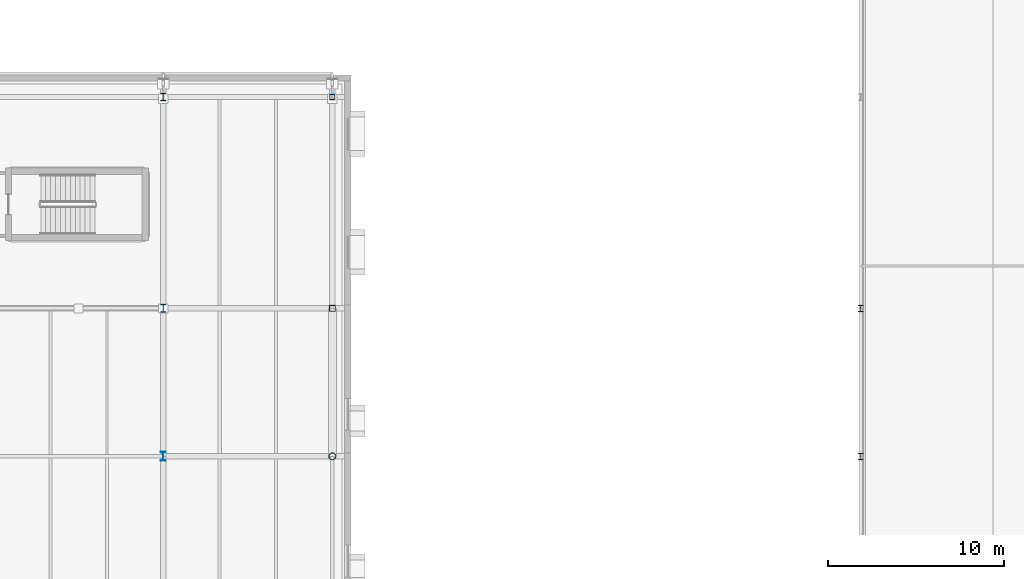
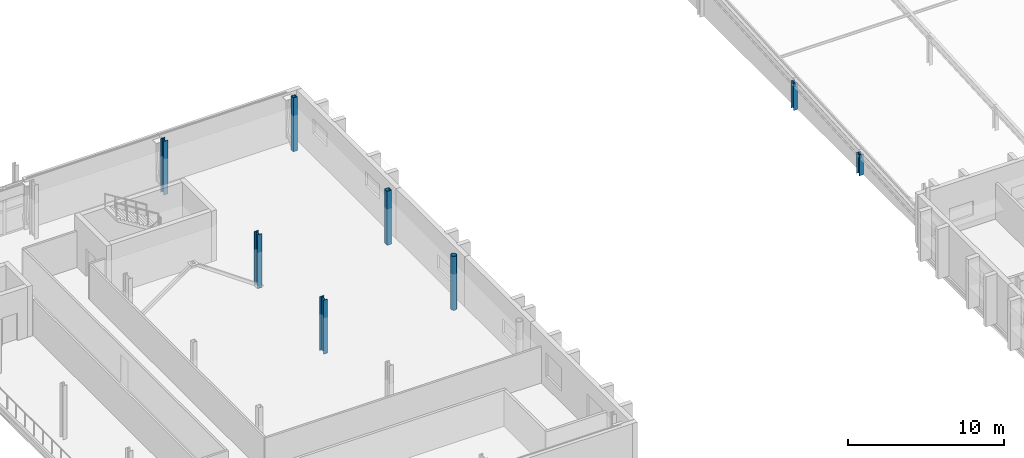
# One storey, part 9 of 57: 8 columns.
"""IFC4 building model written with IfcOpenShell, lengths in metres."""

from ifc_helpers import new_model, si_unit, direction, frame, origin, origin_2d, place, context, subcontext, project, spatial, hollow_rectangle, hollow_circle, i_section, extrude, material, material_profile, profile_set, type_object, element, save


model = new_model("IFC4")

# Units and contexts
model_context = context("Model", 3, precision=1e-05, world=origin(), true_north=direction((0.0, 1.0)))
body_context = subcontext(model_context, "Body", "Model", "MODEL_VIEW")
ifc_project = project(units=[si_unit("LENGTHUNIT", "METRE"), si_unit("AREAUNIT", "SQUARE_METRE"), si_unit("VOLUMEUNIT", "CUBIC_METRE"), si_unit("PLANEANGLEUNIT", "RADIAN"), si_unit("MASSUNIT", "GRAM", prefix="KILO")], contexts=[model_context])

# Site, building, storey
site_placement = place(None, origin())
site = spatial("IfcSite", under=ifc_project, at=site_placement, CompositionType="ELEMENT")
building_placement = place(site_placement, origin())
building = spatial("IfcBuilding", under=site, at=building_placement, Name="Zereglee Splitstone Museum", CompositionType="ELEMENT")
storey_placement = place(building_placement, frame((0.0, 0.0, 17.10009765625)))
storey = spatial("IfcBuildingStorey", under=building, at=storey_placement, Name="L03", CompositionType="ELEMENT", Elevation=17.10009765625)

# Columns
ifc_material_1 = material(Name="Steel S355J2H", Category="steel")
ifc_material_profile_1 = material_profile(ifc_material_1, hollow_circle(Radius=0.203125, WallThickness=0.02001953125, at=origin_2d()), Name="CHS 406.4x20")
ifc_profile_set_1 = profile_set([ifc_material_profile_1], Name="Steel S355J2H")
column_type_1 = type_object("IfcColumnType", Name="C-18", PredefinedType="COLUMN", material=ifc_profile_set_1)
column_1_placement = place(storey_placement, frame((145.199951171875, 30.0, 0.0), z_axis=(0.0, 0.0, 1.0), x_axis=(1.0, 0.0, 0.0)))
element("IfcColumn", 1, at=column_1_placement, inside=storey, type_object=column_type_1, Name="Column 17/D L03", PredefinedType="COLUMN", context=body_context, shape_type="SweptSolid", body=[
    extrude(hollow_circle(Radius=0.203125, WallThickness=0.02001953125, at=origin_2d()), origin(), (0.0, 0.0, 1.0), 4.199951171875),
])
ifc_material_2 = material(Name="Steel S355J2", Category="steel")
ifc_material_profile_2 = material_profile(ifc_material_2, i_section(OverallWidth=0.300048828125, OverallDepth=0.360107421875, WebThickness=0.012451171875, FlangeThickness=0.0224609375, FilletRadius=0.027099609375, at=origin_2d()), Name="HE 360 B")
ifc_profile_set_2 = profile_set([ifc_material_profile_2], Name="Steel S355J2")
column_type_2 = type_object("IfcColumnType", Name="C-16", PredefinedType="COLUMN", material=ifc_profile_set_2)
column_2_placement = place(storey_placement, frame((175.199951171875, 30.0, 0.0), z_axis=(0.0, 0.0, 1.0), x_axis=(1.0, 0.0, 0.0)))
element("IfcColumn", 2, at=column_2_placement, inside=storey, type_object=column_type_2, Name="Roof Support Column RF-V4 (175.2,30.0)", PredefinedType="COLUMN", context=body_context, shape_type="SweptSolid", body=[
    extrude(i_section(OverallWidth=0.300048828125, OverallDepth=0.360107421875, WebThickness=0.012451171875, FlangeThickness=0.0224609375, FilletRadius=0.027099609375, at=origin_2d()), origin(), (0.0, 0.0, 1.0), 1.640380859375),
])
column_3_placement = place(storey_placement, frame((175.199951171875, 38.39990234375, 0.0), z_axis=(0.0, 0.0, 1.0), x_axis=(1.0, 0.0, 0.0)))
element("IfcColumn", 3, at=column_3_placement, inside=storey, type_object=column_type_2, Name="Roof Support Column RF-V4 (175.2,38.4)", PredefinedType="COLUMN", context=body_context, shape_type="SweptSolid", body=[
    extrude(i_section(OverallWidth=0.300048828125, OverallDepth=0.360107421875, WebThickness=0.012451171875, FlangeThickness=0.0224609375, FilletRadius=0.027099609375, at=origin_2d()), origin(), (0.0, 0.0, 1.0), 2.12158203125),
])
ifc_material_profile_3 = material_profile(ifc_material_2, i_section(OverallWidth=0.300048828125, OverallDepth=0.39990234375, WebThickness=0.013427734375, FlangeThickness=0.02392578125, FilletRadius=0.027099609375, at=origin_2d()), Name="HE 400 B")
ifc_profile_set_3 = profile_set([ifc_material_profile_3], Name="Steel S355J2")
column_type_3 = type_object("IfcColumnType", Name="C-15", PredefinedType="COLUMN", material=ifc_profile_set_3)
column_4_placement = place(storey_placement, frame((135.60009765625, 50.39990234375, 0.0), z_axis=(0.0, 0.0, 1.0), x_axis=(1.0, 0.0, 0.0)))
element("IfcColumn", 4, at=column_4_placement, inside=storey, type_object=column_type_3, Name="Column 16/F L03", PredefinedType="COLUMN", context=body_context, shape_type="SweptSolid", body=[
    extrude(i_section(OverallWidth=0.300048828125, OverallDepth=0.39990234375, WebThickness=0.013427734375, FlangeThickness=0.02392578125, FilletRadius=0.027099609375, at=origin_2d()), origin(), (0.0, 0.0, 1.0), 4.199951171875),
])
ifc_material_profile_4 = material_profile(ifc_material_2, i_section(OverallWidth=0.300048828125, OverallDepth=0.449951171875, WebThickness=0.013916015625, FlangeThickness=0.02587890625, FilletRadius=0.027099609375, at=origin_2d()), Name="HE 450 B")
ifc_profile_set_4 = profile_set([ifc_material_profile_4], Name="Steel S355J2")
column_type_4 = type_object("IfcColumnType", Name="C-14", PredefinedType="COLUMN", material=ifc_profile_set_4)
column_5_placement = place(storey_placement, frame((135.60009765625, 38.39990234375, 0.0), z_axis=(0.0, 0.0, 1.0), x_axis=(1.0, 0.0, 0.0)))
element("IfcColumn", 5, at=column_5_placement, inside=storey, type_object=column_type_4, Name="Column 16/E L03", PredefinedType="COLUMN", context=body_context, shape_type="SweptSolid", body=[
    extrude(i_section(OverallWidth=0.300048828125, OverallDepth=0.449951171875, WebThickness=0.013916015625, FlangeThickness=0.02587890625, FilletRadius=0.027099609375, at=origin_2d()), origin(), (0.0, 0.0, 1.0), 4.199951171875),
])
ifc_material_profile_5 = material_profile(ifc_material_2, i_section(OverallWidth=0.300048828125, OverallDepth=0.5, WebThickness=0.014404296875, FlangeThickness=0.028076171875, FilletRadius=0.027099609375, at=origin_2d()), Name="HE 500 B")
ifc_profile_set_5 = profile_set([ifc_material_profile_5], Name="Steel S355J2")
column_type_5 = type_object("IfcColumnType", Name="C-13", PredefinedType="COLUMN", material=ifc_profile_set_5)
column_6_placement = place(storey_placement, frame((135.60009765625, 30.0, 0.0), z_axis=(0.0, 0.0, 1.0), x_axis=(1.0, 0.0, 0.0)))
element("IfcColumn", 6, at=column_6_placement, inside=storey, type_object=column_type_5, Name="Column 16/D L03", PredefinedType="COLUMN", context=body_context, shape_type="SweptSolid", body=[
    extrude(i_section(OverallWidth=0.300048828125, OverallDepth=0.5, WebThickness=0.014404296875, FlangeThickness=0.028076171875, FilletRadius=0.027099609375, at=origin_2d()), origin(), (0.0, 0.0, 1.0), 4.199951171875),
])
ifc_material_profile_6 = material_profile(ifc_material_1, hollow_rectangle(XDim=0.300048828125, YDim=0.300048828125, WallThickness=0.01611328125, at=origin_2d()), Name="SHS 300x300x16")
ifc_profile_set_6 = profile_set([ifc_material_profile_6], Name="Steel S355J2H")
column_type_6 = type_object("IfcColumnType", Name="C-20", PredefinedType="COLUMN", material=ifc_profile_set_6)
column_7_placement = place(storey_placement, frame((145.199951171875, 50.39990234375, 0.0), z_axis=(0.0, 0.0, 1.0), x_axis=(1.0, 0.0, 0.0)))
element("IfcColumn", 7, at=column_7_placement, inside=storey, type_object=column_type_6, Name="Column 17/F L03", PredefinedType="COLUMN", context=body_context, shape_type="SweptSolid", body=[
    extrude(hollow_rectangle(XDim=0.300048828125, YDim=0.300048828125, WallThickness=0.01611328125, at=origin_2d()), origin(), (0.0, 0.0, 1.0), 4.199951171875),
])
ifc_material_profile_7 = material_profile(ifc_material_1, hollow_rectangle(XDim=0.35009765625, YDim=0.35009765625, WallThickness=0.01611328125, at=origin_2d()), Name="SHS 350x350x16")
ifc_profile_set_7 = profile_set([ifc_material_profile_7], Name="Steel S355J2H")
column_type_7 = type_object("IfcColumnType", Name="C-19", PredefinedType="COLUMN", material=ifc_profile_set_7)
column_8_placement = place(storey_placement, frame((145.199951171875, 38.39990234375, 0.0), z_axis=(0.0, 0.0, 1.0), x_axis=(1.0, 0.0, 0.0)))
element("IfcColumn", 8, at=column_8_placement, inside=storey, type_object=column_type_7, Name="Column 17/E L03", PredefinedType="COLUMN", context=body_context, shape_type="SweptSolid", body=[
    extrude(hollow_rectangle(XDim=0.35009765625, YDim=0.35009765625, WallThickness=0.01611328125, at=origin_2d()), origin(), (0.0, 0.0, 1.0), 4.199951171875),
])

save(model, "model.ifc")
